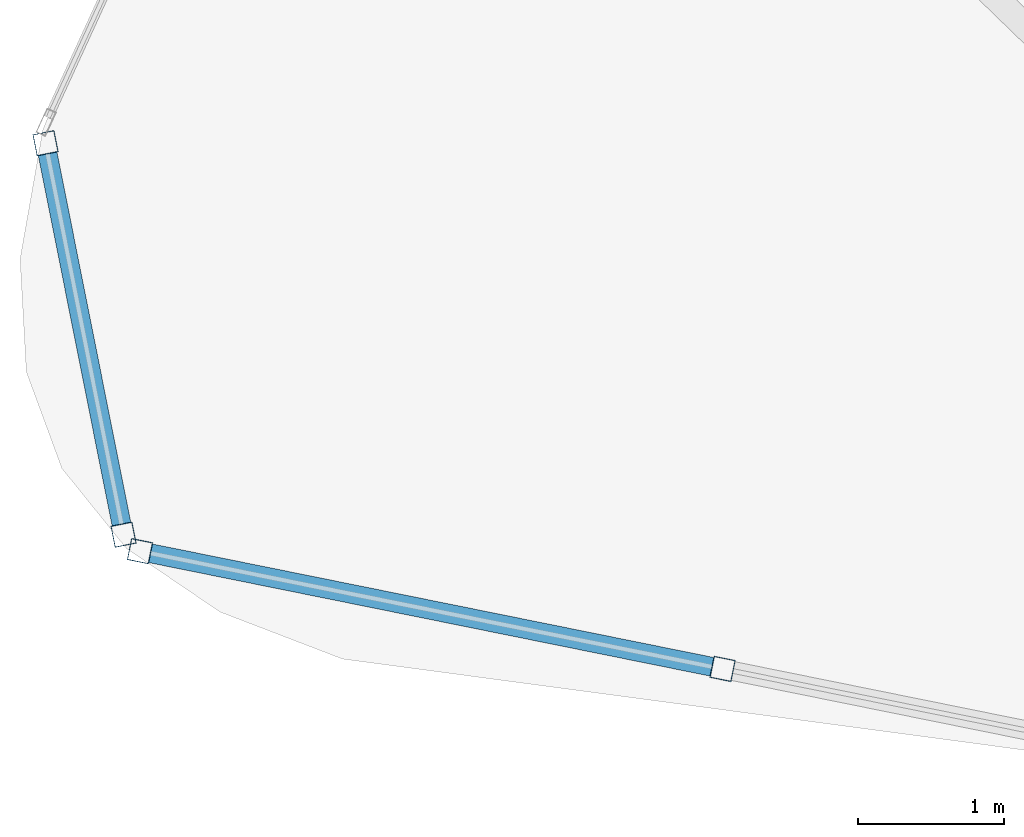
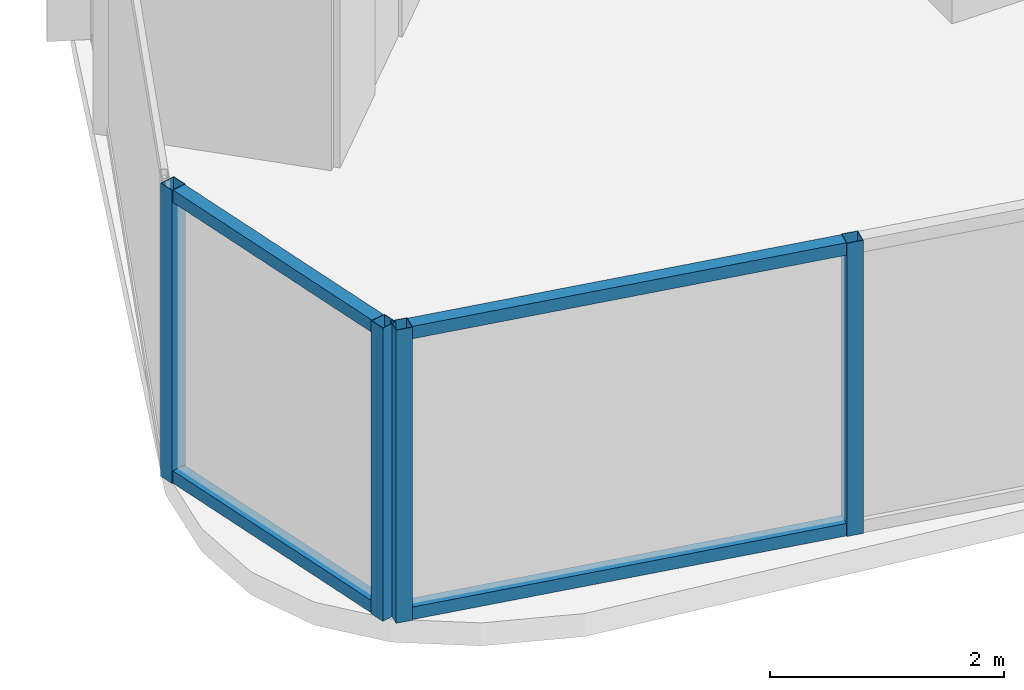
# One storey, part 2 of 35: 8 members, 2 elements without a shape of their own.
"""IFC4 building model written with IfcOpenShell, lengths in metres."""

from ifc_helpers import new_model, si_unit, direction, frame, origin, origin_2d, place, context, subcontext, project, spatial, hollow_rectangle, extrude, material, layer, layer_set, material_profile, profile_set, type_object, element, aggregate, save


model = new_model("IFC4")

# Units and contexts
model_context = context("Model", 3, precision=1e-05, world=origin(), true_north=direction((0.0, 1.0)))
body_context = subcontext(model_context, "Body", "Model", "MODEL_VIEW")
ifc_project = project(units=[si_unit("LENGTHUNIT", "METRE"), si_unit("AREAUNIT", "SQUARE_METRE"), si_unit("VOLUMEUNIT", "CUBIC_METRE"), si_unit("PLANEANGLEUNIT", "RADIAN"), si_unit("MASSUNIT", "GRAM", prefix="KILO")], contexts=[model_context])

# Site, building, storey
site_placement = place(None, origin())
site = spatial("IfcSite", under=ifc_project, at=site_placement, CompositionType="ELEMENT")
building_placement = place(site_placement, origin())
building = spatial("IfcBuilding", under=site, at=building_placement, Name="Orvanel Arch Residences", CompositionType="ELEMENT")
storey_placement = place(building_placement, frame((0.0, 0.0, 40.10009765625)))
storey = spatial("IfcBuildingStorey", under=building, at=storey_placement, Name="L10", CompositionType="ELEMENT", Elevation=40.10009765625)

# Curtain wall, members
ifc_material = material(Name="Bronze-anodised aluminium AA6063-T6", Category="aluminium")
ifc_layer = layer(ifc_material, 0.18994140625)
ifc_layer_set = layer_set([ifc_layer], Name="Bronze-anodised aluminium AA6063-T6")
curtain_wall_type = type_object("IfcCurtainWallType", Name="CW5-CRN-SYS", PredefinedType="NOTDEFINED", material=ifc_layer_set)
curtain_wall_1_placement = place(storey_placement, origin())
curtain_wall_1 = element("IfcCurtainWall", 1, at=curtain_wall_1_placement, inside=storey, type_object=curtain_wall_type, Name="L10 CW5-CRN-SYS Unitised Curtain Wall", PredefinedType="NOTDEFINED")
ifc_material_profile_1 = material_profile(ifc_material, hollow_rectangle(XDim=0.14990234375, YDim=0.14990234375, WallThickness=0.0048828125, at=origin_2d()), Name="ALU150x150x5")
ifc_profile_set_1 = profile_set([ifc_material_profile_1], Name="Bronze-anodised aluminium AA6063-T6")
member_type_1 = type_object("IfcMemberType", Name="MUL-150x150", PredefinedType="MULLION", material=ifc_profile_set_1)
member_1_placement = place(storey_placement, frame((4.257568359375, 7.038330078125, 0.0), z_axis=(0.0, 0.0, 1.0), x_axis=(0.98071396973, 0.195448483179, 0.0)))
member_1 = element("IfcMember", 2, at=member_1_placement, type_object=member_type_1, Name="CW-S5 mullion 1", PredefinedType="MULLION", context=body_context, shape_type="SweptSolid", body=[
    extrude(hollow_rectangle(XDim=0.14990234375, YDim=0.14990234375, WallThickness=0.0048828125, at=origin_2d()), origin(), (0.0, 0.0, 1.0), 3.059814453125),
])
member_2_placement = place(storey_placement, frame((4.791259765625, 4.360595703125, 0.0), z_axis=(0.0, 0.0, 1.0), x_axis=(0.98071396973, 0.195448483179, 0.0)))
member_2 = element("IfcMember", 3, at=member_2_placement, type_object=member_type_1, Name="CW-S5 mullion 2", PredefinedType="MULLION", context=body_context, shape_type="SweptSolid", body=[
    extrude(hollow_rectangle(XDim=0.14990234375, YDim=0.14990234375, WallThickness=0.0048828125, at=origin_2d()), origin(), (0.0, 0.0, 1.0), 3.059814453125),
])

curtain_wall_2_placement = place(storey_placement, origin())
curtain_wall_2 = element("IfcCurtainWall", 4, at=curtain_wall_2_placement, inside=storey, type_object=curtain_wall_type, Name="L10 CW5-CRN-SYS Unitised Curtain Wall", PredefinedType="NOTDEFINED")
member_3_placement = place(storey_placement, frame((4.903564453125, 4.248046875, 0.0), z_axis=(0.0, 0.0, 1.0), x_axis=(0.198159258538, 0.980169836434, 0.0)))
member_3 = element("IfcMember", 5, at=member_3_placement, type_object=member_type_1, Name="CW-S5 mullion 1", PredefinedType="MULLION", context=body_context, shape_type="SweptSolid", body=[
    extrude(hollow_rectangle(XDim=0.14990234375, YDim=0.14990234375, WallThickness=0.0048828125, at=origin_2d()), origin(), (0.0, 0.0, 1.0), 3.059814453125),
])
member_4_placement = place(storey_placement, frame((8.888427734375, 3.4423828125, 0.0), z_axis=(0.0, 0.0, 1.0), x_axis=(0.198159258538, 0.980169836434, 0.0)))
member_4 = element("IfcMember", 6, at=member_4_placement, type_object=member_type_1, Name="CW-S5 mullion 2", PredefinedType="MULLION", context=body_context, shape_type="SweptSolid", body=[
    extrude(hollow_rectangle(XDim=0.14990234375, YDim=0.14990234375, WallThickness=0.0048828125, at=origin_2d()), origin(), (0.0, 0.0, 1.0), 3.059814453125),
])

# Member
ifc_material_profile_2 = material_profile(ifc_material, hollow_rectangle(XDim=0.1298828125, YDim=0.1298828125, WallThickness=0.00439453125, at=origin_2d()), Name="ALU130x130x4.5")
ifc_profile_set_2 = profile_set([ifc_material_profile_2], Name="Bronze-anodised aluminium AA6063-T6")
member_type_2 = type_object("IfcMemberType", Name="TRN-130x130", PredefinedType="USERDEFINED", material=ifc_profile_set_2)
member_5_placement = place(storey_placement, frame((4.272216796875, 6.96484375, 0.06494140625), z_axis=(0.195461109638, -0.980711453293, 0.0), x_axis=(0.980711453293, 0.195461109638, 0.0)))
member_5 = element("IfcMember", 7, at=member_5_placement, type_object=member_type_2, Name="CW-S5 transom 1.1", ObjectType="TRANSOM", PredefinedType="USERDEFINED", context=body_context, shape_type="SweptSolid", body=[
    extrude(hollow_rectangle(XDim=0.1298828125, YDim=0.1298828125, WallThickness=0.00439453125, at=origin_2d()), origin(), (0.0, 0.0, 1.0), 2.58056640625),
])

member_6_placement = place(storey_placement, frame((4.272216796875, 6.96484375, 2.994873046875), z_axis=(0.195461109638, -0.980711453293, 0.0), x_axis=(0.980711453293, 0.195461109638, 0.0)))
member_6 = element("IfcMember", 8, at=member_6_placement, type_object=member_type_2, Name="CW-S5 transom 1.2", ObjectType="TRANSOM", PredefinedType="USERDEFINED", context=body_context, shape_type="SweptSolid", body=[
    extrude(hollow_rectangle(XDim=0.1298828125, YDim=0.1298828125, WallThickness=0.00439453125, at=origin_2d()), origin(), (0.0, 0.0, 1.0), 2.58056640625),
])

aggregate(curtain_wall_1, [member_1, member_2, member_5, member_6])

member_7_placement = place(storey_placement, frame((4.97705078125, 4.233154296875, 0.06494140625), z_axis=(0.980170871869, -0.198154136819, 0.0), x_axis=(0.198154136819, 0.980170871869, 0.0)))
member_7 = element("IfcMember", 9, at=member_7_placement, type_object=member_type_2, Name="CW-S5 transom 1.1", ObjectType="TRANSOM", PredefinedType="USERDEFINED", context=body_context, shape_type="SweptSolid", body=[
    extrude(hollow_rectangle(XDim=0.1298828125, YDim=0.1298828125, WallThickness=0.00439453125, at=origin_2d()), origin(), (0.0, 0.0, 1.0), 3.91552734375),
])

member_8_placement = place(storey_placement, frame((4.97705078125, 4.233154296875, 2.994873046875), z_axis=(0.980170871869, -0.198154136819, 0.0), x_axis=(0.198154136819, 0.980170871869, 0.0)))
member_8 = element("IfcMember", 10, at=member_8_placement, type_object=member_type_2, Name="CW-S5 transom 1.2", ObjectType="TRANSOM", PredefinedType="USERDEFINED", context=body_context, shape_type="SweptSolid", body=[
    extrude(hollow_rectangle(XDim=0.1298828125, YDim=0.1298828125, WallThickness=0.00439453125, at=origin_2d()), origin(), (0.0, 0.0, 1.0), 3.91552734375),
])

aggregate(curtain_wall_2, [member_3, member_4, member_7, member_8])

save(model, "model.ifc")
